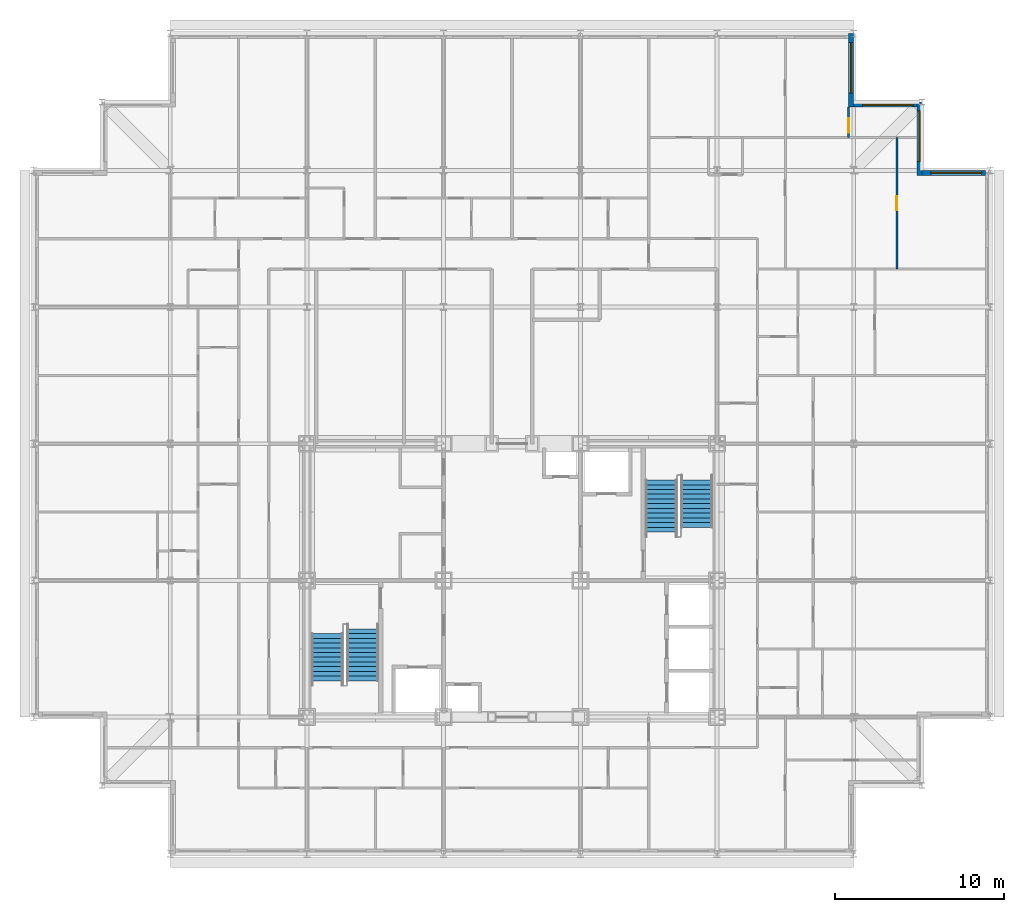
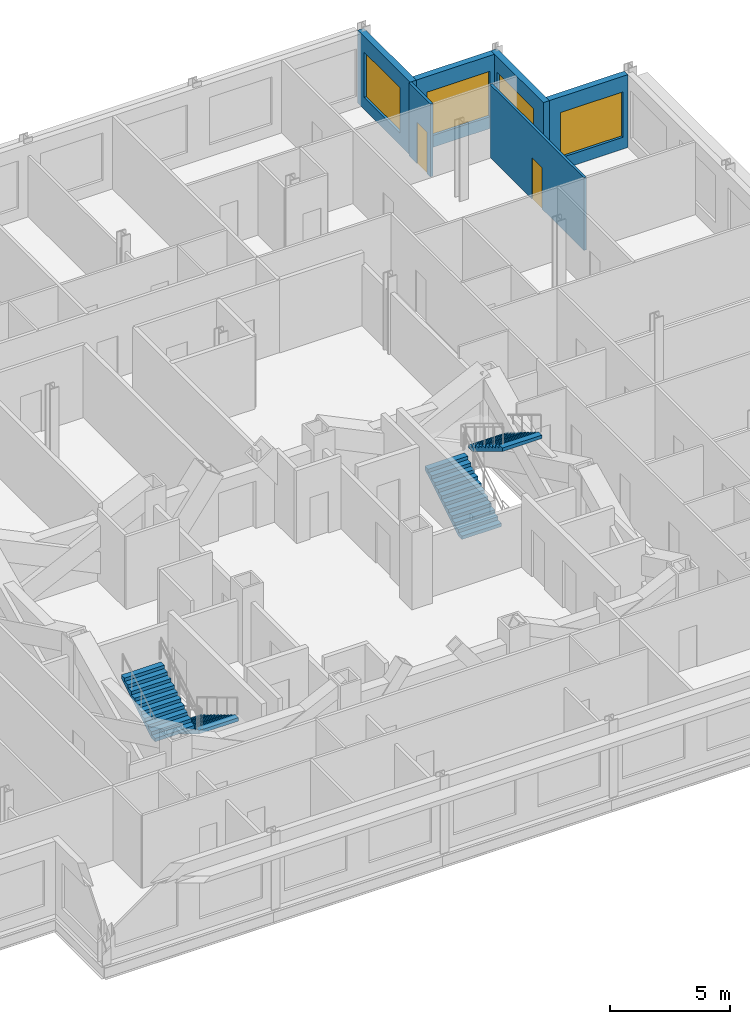
# One storey, part 14 of 15: 6 walls, 4 stair flights, 4 windows, 2 doors, 6 openings, 2 elements without a shape of their own.
"""IFC4 building model written with IfcOpenShell, lengths in metres."""

from ifc_helpers import new_model, si_unit, direction, frame, frame_2d, origin, place, context, subcontext, project, spatial, rectangle, extrude, polygons, source, transform, mapped, material, layer, layer_set, type_object, element, fill, aggregate, save


model = new_model("IFC4")

# Units and contexts
model_context = context("Model", 3, precision=1e-05, world=origin(), true_north=direction((0.0, 1.0)))
body_context = subcontext(model_context, "Body", "Model", "MODEL_VIEW")
ifc_project = project(units=[si_unit("LENGTHUNIT", "METRE"), si_unit("AREAUNIT", "SQUARE_METRE"), si_unit("VOLUMEUNIT", "CUBIC_METRE"), si_unit("PLANEANGLEUNIT", "RADIAN"), si_unit("MASSUNIT", "GRAM", prefix="KILO")], contexts=[model_context])

# Site, building, storey
site_placement = place(None, origin())
site = spatial("IfcSite", under=ifc_project, at=site_placement, CompositionType="ELEMENT")
building_placement = place(site_placement, origin())
building = spatial("IfcBuilding", under=site, at=building_placement, Name="Kopane Lantern Tower", CompositionType="ELEMENT")
storey_placement = place(building_placement, frame((0.0, 0.0, 277.5)))
storey = spatial("IfcBuildingStorey", under=building, at=storey_placement, Name="L71", CompositionType="ELEMENT", Elevation=277.5)

# Wall, opening, door
ifc_material_1 = material(Name="Gypsum board on steel studs", Category="steel")
ifc_layer_1 = layer(ifc_material_1, 0.1201171875)
ifc_layer_set_1 = layer_set([ifc_layer_1], Name="APARTMENT INTERNAL WALL 120")
wall_type_1 = type_object("IfcWallType", Name="APARTMENT INTERNAL WALL 120", PredefinedType="PARTITIONING", material=ifc_layer_set_1)
wall_1_placement = place(storey_placement, frame((48.300048828125, 58.64990234375, 0.0), z_axis=(0.0, 0.0, 1.0), x_axis=(0.0, 1.0, 0.0)))
wall_1 = element("IfcWall", 1, at=wall_1_placement, inside=storey, type_object=wall_type_1, Name="Apartment Internal Wall 120 L71", PredefinedType="PARTITIONING", context=body_context, shape_type="SweptSolid", body=[
    extrude(rectangle(XDim=1.800048828125, YDim=0.1201171875, at=frame_2d((0.89990234375, 0.0))), origin(), (0.0, 0.0, 1.0), 3.68994140625),
])
opening_1_placement = place(wall_1_placement, frame((0.27490234375, 0.0, 0.0)))
opening_1 = element("IfcOpeningElement", 2, at=opening_1_placement, cuts=wall_1, Name="Opening L71-065", PredefinedType="OPENING", context=body_context, shape_type="SweptSolid", body=[
    extrude(rectangle(XDim=0.85009765625, YDim=2.10009765625, at=frame_2d((0.425048828125, 1.050048828125))), frame((0.0, 0.070068359375, 0.0), z_axis=(0.0, -1.0, 0.0), x_axis=(1.0, 0.0, 0.0)), (0.0, 0.0, 1.0), 0.14013671875),
])
ifc_material_2 = material(Name="Timber door set", Category="wood")
door_type = type_object("IfcDoorType", Name="DOOR D4 850x2100", OperationType="SINGLE_SWING_LEFT", PredefinedType="DOOR", material=ifc_material_2)
door_1_placement = place(opening_1_placement, origin())
door_1 = element("IfcDoor", 3, at=door_1_placement, inside=storey, type_object=door_type, Name="Door L71-065", OperationType="SINGLE_SWING_RIGHT", OverallHeight=2.10009765625, OverallWidth=0.85009765625, PredefinedType="DOOR", context=body_context, shape_type="SweptSolid", body=[
    extrude(rectangle(XDim=0.85009765625, YDim=2.10009765625, at=frame_2d((0.425048828125, 1.050048828125))), frame((0.0, 0.02490234375, 0.0), z_axis=(0.0, -1.0, 0.0), x_axis=(1.0, 0.0, 0.0)), (0.0, 0.0, 1.0), 0.050048828125),
])
fill(opening_1, door_1)

wall_2_placement = place(storey_placement, frame((51.14990234375, 50.85009765625, 0.0), z_axis=(0.0, 0.0, 1.0), x_axis=(0.0, 1.0, 0.0)))
wall_2 = element("IfcWall", 4, at=wall_2_placement, inside=storey, type_object=wall_type_1, Name="Apartment Internal Wall 120 L71", PredefinedType="PARTITIONING", context=body_context, shape_type="SweptSolid", body=[
    extrude(rectangle(XDim=7.7998046875, YDim=0.1201171875, at=frame_2d((3.89990234375, 0.0))), origin(), (0.0, 0.0, 1.0), 3.68994140625),
])
opening_2_placement = place(wall_2_placement, frame((3.47509765625, 0.0, 0.0)))
opening_2 = element("IfcOpeningElement", 5, at=opening_2_placement, cuts=wall_2, Name="Opening L71-072", PredefinedType="OPENING", context=body_context, shape_type="SweptSolid", body=[
    extrude(rectangle(XDim=0.85009765625, YDim=2.10009765625, at=frame_2d((0.425048828125, 1.050048828125))), frame((0.0, 0.070068359375, 0.0), z_axis=(0.0, -1.0, 0.0), x_axis=(1.0, 0.0, 0.0)), (0.0, 0.0, 1.0), 0.14013671875),
])
door_2_placement = place(opening_2_placement, origin())
door_2 = element("IfcDoor", 6, at=door_2_placement, inside=storey, type_object=door_type, Name="Door L71-072", OperationType="SINGLE_SWING_RIGHT", OverallHeight=2.10009765625, OverallWidth=0.85009765625, PredefinedType="DOOR", context=body_context, shape_type="SweptSolid", body=[
    extrude(rectangle(XDim=0.85009765625, YDim=2.10009765625, at=frame_2d((0.425048828125, 1.050048828125))), frame((0.0, 0.02490234375, 0.0), z_axis=(0.0, -1.0, 0.0), x_axis=(1.0, 0.0, 0.0)), (0.0, 0.0, 1.0), 0.050048828125),
])
fill(opening_2, door_2)

# Wall, opening, window
ifc_material_3 = material(Name="Terracotta rainscreen on light steel framing", Category="masonry")
ifc_layer_2 = layer(ifc_material_3, 0.300048828125)
ifc_layer_set_2 = layer_set([ifc_layer_2], Name="EXTERNAL WALL EW1 300 TERRACOTTA")
wall_type_2 = type_object("IfcWallType", Name="EXTERNAL WALL EW1 300 TERRACOTTA", PredefinedType="SOLIDWALL", material=ifc_layer_set_2)
wall_3_placement = place(storey_placement, frame((56.39990234375, 56.550048828125, 0.0), z_axis=(0.0, 0.0, 1.0), x_axis=(-1.0, 0.0, 0.0)))
wall_3 = element("IfcWall", 7, at=wall_3_placement, inside=storey, type_object=wall_type_2, Name="External wall N L71", PredefinedType="SOLIDWALL", context=body_context, shape_type="SweptSolid", body=[
    extrude(rectangle(XDim=3.75, YDim=0.300048828125, at=frame_2d((1.875, 0.0))), origin(), (0.0, 0.0, 1.0), 3.68994140625),
])
opening_3_placement = place(wall_3_placement, frame((0.22509765625, 0.0, 0.60009765625)))
opening_3 = element("IfcOpeningElement", 8, at=opening_3_placement, cuts=wall_3, Name="Opening WR300230", PredefinedType="OPENING", context=body_context, shape_type="SweptSolid", body=[
    extrude(rectangle(XDim=3.0, YDim=2.300048828125, at=frame_2d((1.5, 1.14990234375))), frame((0.0, 0.159912109375, 0.0), z_axis=(0.0, -1.0, 0.0), x_axis=(1.0, 0.0, 0.0)), (0.0, 0.0, 1.0), 0.320068359375),
])
ifc_material_4 = material(Name="Aluminium and clear glass", Category="aluminium")
window_type = type_object("IfcWindowType", Name="RIBBON WINDOW WR300230 3000x2300", PartitioningType="SINGLE_PANEL", PredefinedType="WINDOW", material=ifc_material_4)
window_1_placement = place(opening_3_placement, origin())
window_1 = element("IfcWindow", 9, at=window_1_placement, inside=storey, type_object=window_type, Name="Window N L71", OverallHeight=2.300048828125, OverallWidth=3.0, PartitioningType="SINGLE_PANEL", PredefinedType="WINDOW", context=body_context, shape_type="SweptSolid", body=[
    extrude(rectangle(XDim=3.0, YDim=2.300048828125, at=frame_2d((1.5, 1.14990234375))), frame((0.0, 0.030029296875, 0.0), z_axis=(0.0, -1.0, 0.0), x_axis=(1.0, 0.0, 0.0)), (0.0, 0.0, 1.0), 0.06005859375),
])
fill(opening_3, window_1)

wall_4_placement = place(storey_placement, frame((52.5, 56.39990234375, 0.0), z_axis=(0.0, 0.0, 1.0), x_axis=(0.0, 1.0, 0.0)))
wall_4 = element("IfcWall", 10, at=wall_4_placement, inside=storey, type_object=wall_type_2, Name="External wall E L71", PredefinedType="SOLIDWALL", context=body_context, shape_type="SweptSolid", body=[
    extrude(rectangle(XDim=4.35009765625, YDim=0.300048828125, at=frame_2d((2.175048828125, 0.0))), origin(), (0.0, 0.0, 1.0), 3.68994140625),
])
opening_4_placement = place(wall_4_placement, frame((0.824951171875, 0.0, 0.60009765625)))
opening_4 = element("IfcOpeningElement", 11, at=opening_4_placement, cuts=wall_4, Name="Opening WR300230", PredefinedType="OPENING", context=body_context, shape_type="SweptSolid", body=[
    extrude(rectangle(XDim=3.0, YDim=2.300048828125, at=frame_2d((1.5, 1.14990234375))), frame((0.0, 0.159912109375, 0.0), z_axis=(0.0, -1.0, 0.0), x_axis=(1.0, 0.0, 0.0)), (0.0, 0.0, 1.0), 0.320068359375),
])
window_2_placement = place(opening_4_placement, origin())
window_2 = element("IfcWindow", 12, at=window_2_placement, inside=storey, type_object=window_type, Name="Window E L71", OverallHeight=2.300048828125, OverallWidth=3.0, PartitioningType="SINGLE_PANEL", PredefinedType="WINDOW", context=body_context, shape_type="SweptSolid", body=[
    extrude(rectangle(XDim=3.0, YDim=2.300048828125, at=frame_2d((1.5, 1.14990234375))), frame((0.0, 0.030029296875, 0.0), z_axis=(0.0, -1.0, 0.0), x_axis=(1.0, 0.0, 0.0)), (0.0, 0.0, 1.0), 0.06005859375),
])
fill(opening_4, window_2)

wall_5_placement = place(storey_placement, frame((52.35009765625, 60.60009765625, 0.0), z_axis=(0.0, 0.0, 1.0), x_axis=(-1.0, 0.0, 0.0)))
wall_5 = element("IfcWall", 13, at=wall_5_placement, inside=storey, type_object=wall_type_2, Name="External wall N L71", PredefinedType="SOLIDWALL", context=body_context, shape_type="SweptSolid", body=[
    extrude(rectangle(XDim=3.75, YDim=0.300048828125, at=frame_2d((1.875, 0.0))), origin(), (0.0, 0.0, 1.0), 3.68994140625),
])
opening_5_placement = place(wall_5_placement, frame((0.22509765625, 0.0, 0.60009765625)))
opening_5 = element("IfcOpeningElement", 14, at=opening_5_placement, cuts=wall_5, Name="Opening WR300230", PredefinedType="OPENING", context=body_context, shape_type="SweptSolid", body=[
    extrude(rectangle(XDim=3.0, YDim=2.300048828125, at=frame_2d((1.5, 1.14990234375))), frame((0.0, 0.159912109375, 0.0), z_axis=(0.0, -1.0, 0.0), x_axis=(1.0, 0.0, 0.0)), (0.0, 0.0, 1.0), 0.320068359375),
])
window_3_placement = place(opening_5_placement, origin())
window_3 = element("IfcWindow", 15, at=window_3_placement, inside=storey, type_object=window_type, Name="Window N L71", OverallHeight=2.300048828125, OverallWidth=3.0, PartitioningType="SINGLE_PANEL", PredefinedType="WINDOW", context=body_context, shape_type="SweptSolid", body=[
    extrude(rectangle(XDim=3.0, YDim=2.300048828125, at=frame_2d((1.5, 1.14990234375))), frame((0.0, 0.030029296875, 0.0), z_axis=(0.0, -1.0, 0.0), x_axis=(1.0, 0.0, 0.0)), (0.0, 0.0, 1.0), 0.06005859375),
])
fill(opening_5, window_3)

wall_6_placement = place(storey_placement, frame((48.449951171875, 60.449951171875, 0.0), z_axis=(0.0, 0.0, 1.0), x_axis=(0.0, 1.0, 0.0)))
wall_6 = element("IfcWall", 16, at=wall_6_placement, inside=storey, type_object=wall_type_2, Name="External wall E L71", PredefinedType="SOLIDWALL", context=body_context, shape_type="SweptSolid", body=[
    extrude(rectangle(XDim=4.35009765625, YDim=0.300048828125, at=frame_2d((2.175048828125, 0.0))), origin(), (0.0, 0.0, 1.0), 3.68994140625),
])
opening_6_placement = place(wall_6_placement, frame((0.824951171875, 0.0, 0.60009765625)))
opening_6 = element("IfcOpeningElement", 17, at=opening_6_placement, cuts=wall_6, Name="Opening WR300230", PredefinedType="OPENING", context=body_context, shape_type="SweptSolid", body=[
    extrude(rectangle(XDim=3.0, YDim=2.300048828125, at=frame_2d((1.5, 1.14990234375))), frame((0.0, 0.159912109375, 0.0), z_axis=(0.0, -1.0, 0.0), x_axis=(1.0, 0.0, 0.0)), (0.0, 0.0, 1.0), 0.320068359375),
])
window_4_placement = place(opening_6_placement, origin())
window_4 = element("IfcWindow", 18, at=window_4_placement, inside=storey, type_object=window_type, Name="Window E L71", OverallHeight=2.300048828125, OverallWidth=3.0, PartitioningType="SINGLE_PANEL", PredefinedType="WINDOW", context=body_context, shape_type="SweptSolid", body=[
    extrude(rectangle(XDim=3.0, YDim=2.300048828125, at=frame_2d((1.5, 1.14990234375))), frame((0.0, 0.030029296875, 0.0), z_axis=(0.0, -1.0, 0.0), x_axis=(1.0, 0.0, 0.0)), (0.0, 0.0, 1.0), 0.06005859375),
])
fill(opening_6, window_4)

# Stair, stair flight
ifc_material_5 = material(Name="Steel S355JR", Category="steel")
stair_type = type_object("IfcStairType", Name="EXIT STAIR 1900 HALF TURN", PredefinedType="HALF_TURN_STAIR", material=ifc_material_5)
stair_1_placement = place(storey_placement, origin())
stair_1 = element("IfcStair", 19, at=stair_1_placement, inside=storey, type_object=stair_type, Name="Exit stair ST1 L71", PredefinedType="HALF_TURN_STAIR")
ifc_material_6 = material(Name="Steel S355JR", Category="steel")
stair_flight_type = type_object("IfcStairFlightType", Name="STAIR FLIGHT 1900 STEEL", PredefinedType="STRAIGHT", material=ifc_material_6)
shared_shape_1 = source(origin(), body_context, "Body", "Tessellation", [
    polygons([(3.080078125, 0.949951172, 1.865234375), (2.800048828, 0.949951172, 1.865234375), (2.800048828, -0.949951172, 1.865234375), (3.080078125, -0.949951172, 1.865234375), (0.289306641, 0.949951172, 0.0), (3.080078125, 0.949951172, 1.689941406), (3.080078125, -0.949951172, 1.689941406), (0.289306641, -0.949951172, 0.0), (0.0, 0.949951172, 0.0), (0.0, -0.949951172, 0.0), (0.280029297, 0.949951172, 0.169677734), (0.0, 0.949951172, 0.169677734), (0.0, -0.949951172, 0.169677734), (0.280029297, -0.949951172, 0.169677734), (0.280029297, 0.949951172, 0.339111328), (0.280029297, -0.949951172, 0.339111328), (0.560058594, 0.949951172, 0.339111328), (0.560058594, -0.949951172, 0.339111328), (0.560058594, 0.949951172, 0.508789062), (0.560058594, -0.949951172, 0.508789062), (0.840087891, 0.949951172, 0.508789062), (0.840087891, -0.949951172, 0.508789062), (0.840087891, 0.949951172, 0.678222656), (0.840087891, -0.949951172, 0.678222656), (1.120117188, 0.949951172, 0.678222656), (1.120117188, -0.949951172, 0.678222656), (1.120117188, 0.949951172, 0.847900391), (1.120117188, -0.949951172, 0.847900391), (1.399902344, 0.949951172, 0.847900391), (1.399902344, -0.949951172, 0.847900391), (1.399902344, 0.949951172, 1.017333984), (1.399902344, -0.949951172, 1.017333984), (1.679931641, 0.949951172, 1.017333984), (1.679931641, -0.949951172, 1.017333984), (1.679931641, 0.949951172, 1.187011719), (1.679931641, -0.949951172, 1.187011719), (1.959960938, 0.949951172, 1.187011719), (1.959960938, -0.949951172, 1.187011719), (1.959960938, 0.949951172, 1.356445312), (1.959960938, -0.949951172, 1.356445312), (2.239990234, 0.949951172, 1.356445312), (2.239990234, -0.949951172, 1.356445312), (2.239990234, 0.949951172, 1.526123047), (2.239990234, -0.949951172, 1.526123047), (2.520019531, 0.949951172, 1.526123047), (2.520019531, -0.949951172, 1.526123047), (2.520019531, 0.949951172, 1.695556641), (2.520019531, -0.949951172, 1.695556641), (2.800048828, 0.949951172, 1.695556641), (2.800048828, -0.949951172, 1.695556641), (0.0, 0.0, 0.004585885), (0.0, 0.0, 0.009171769), (0.0, 0.0, 0.013757654), (0.0, 0.0, 0.018343539), (0.0, 0.0, 0.022929424), (0.0, 0.0, 0.027515308), (0.0, 0.0, 0.032101193), (0.0, 0.0, 0.036687078), (0.0, 0.0, 0.041272962), (0.0, 0.0, 0.045858847), (0.0, 0.0, 0.050444732), (0.0, 0.0, 0.055030617), (0.0, 0.0, 0.059616501), (0.0, 0.0, 0.064202386), (0.0, 0.0, 0.068788271), (0.0, 0.0, 0.073374155), (0.0, 0.0, 0.07796004), (0.0, 0.0, 0.082545925), (0.0, 0.0, 0.08713181), (0.0, 0.0, 0.091717694), (0.0, 0.0, 0.096303579), (0.0, 0.0, 0.100889464), (0.0, 0.0, 0.105475348), (0.0, 0.0, 0.110061233), (0.0, 0.0, 0.114647118), (0.0, 0.0, 0.119233003), (0.0, 0.0, 0.123818887), (0.0, 0.0, 0.128404772), (0.0, 0.0, 0.132990657), (0.0, 0.0, 0.137576541), (0.0, 0.0, 0.142162426), (0.0, 0.0, 0.146748311), (0.0, 0.0, 0.151334196), (0.0, 0.0, 0.15592008), (0.0, 0.0, 0.160505965), (0.0, 0.0, 0.16509185), (3.080078125, 0.0, 1.694679054), (3.080078125, 0.0, 1.699416702), (3.080078125, 0.0, 1.70415435), (3.080078125, 0.0, 1.708891997), (3.080078125, 0.0, 1.713629645), (3.080078125, 0.0, 1.718367293), (3.080078125, 0.0, 1.723104941), (3.080078125, 0.0, 1.727842589), (3.080078125, 0.0, 1.732580236), (3.080078125, 0.0, 1.737317884), (3.080078125, 0.0, 1.742055532), (3.080078125, 0.0, 1.74679318), (3.080078125, 0.0, 1.751530828), (3.080078125, 0.0, 1.756268476), (3.080078125, 0.0, 1.761006123), (3.080078125, 0.0, 1.765743771), (3.080078125, 0.0, 1.770481419), (3.080078125, 0.0, 1.775219067), (3.080078125, 0.0, 1.779956715), (3.080078125, 0.0, 1.784694362), (3.080078125, 0.0, 1.78943201), (3.080078125, 0.0, 1.794169658), (3.080078125, 0.0, 1.798907306), (3.080078125, 0.0, 1.803644954), (3.080078125, 0.0, 1.808382601), (3.080078125, 0.0, 1.813120249), (3.080078125, 0.0, 1.817857897), (3.080078125, 0.0, 1.822595545), (3.080078125, 0.0, 1.827333193), (3.080078125, 0.0, 1.83207084), (3.080078125, 0.0, 1.836808488), (3.080078125, 0.0, 1.841546136), (3.080078125, 0.0, 1.846283784), (3.080078125, 0.0, 1.851021432), (3.080078125, 0.0, 1.855759079), (3.080078125, 0.0, 1.860496727)], [[[1, 2, 3]], [[1, 3, 4]], [[5, 6, 7]], [[5, 7, 8]], [[9, 5, 8]], [[9, 8, 10]], [[11, 12, 13]], [[11, 13, 14]], [[15, 11, 14]], [[15, 14, 16]], [[17, 15, 16]], [[17, 16, 18]], [[19, 17, 18]], [[19, 18, 20]], [[21, 19, 20]], [[21, 20, 22]], [[23, 21, 22]], [[23, 22, 24]], [[25, 23, 24]], [[25, 24, 26]], [[27, 25, 26]], [[27, 26, 28]], [[29, 27, 28]], [[29, 28, 30]], [[31, 29, 30]], [[31, 30, 32]], [[33, 31, 32]], [[33, 32, 34]], [[35, 33, 34]], [[35, 34, 36]], [[37, 35, 36]], [[37, 36, 38]], [[39, 37, 38]], [[39, 38, 40]], [[41, 39, 40]], [[41, 40, 42]], [[43, 41, 42]], [[43, 42, 44]], [[45, 43, 44]], [[45, 44, 46]], [[47, 45, 46]], [[47, 46, 48]], [[49, 47, 48]], [[49, 48, 50]], [[2, 49, 50]], [[2, 50, 3]], [[49, 1, 6]], [[45, 49, 6]], [[2, 1, 49]], [[41, 45, 6]], [[47, 49, 45]], [[37, 41, 6]], [[43, 45, 41]], [[39, 41, 37]], [[35, 37, 33]], [[31, 33, 29]], [[5, 21, 25]], [[27, 29, 25]], [[17, 21, 5]], [[23, 25, 21]], [[11, 17, 5]], [[19, 21, 17]], [[9, 11, 5]], [[15, 17, 11]], [[12, 11, 9]], [[6, 5, 25]], [[6, 25, 29]], [[6, 29, 33]], [[6, 33, 37]], [[7, 4, 50]], [[7, 50, 46]], [[50, 4, 3]], [[7, 46, 42]], [[46, 50, 48]], [[7, 42, 38]], [[42, 46, 44]], [[38, 42, 40]], [[34, 38, 36]], [[30, 34, 32]], [[26, 22, 8]], [[26, 30, 28]], [[8, 22, 18]], [[22, 26, 24]], [[8, 18, 14]], [[18, 22, 20]], [[8, 14, 10]], [[14, 18, 16]], [[10, 14, 13]], [[26, 8, 7]], [[30, 26, 7]], [[34, 30, 7]], [[38, 34, 7]], [[10, 51, 9]], [[10, 52, 51]], [[9, 51, 52]], [[10, 53, 52]], [[9, 52, 53]], [[10, 54, 53]], [[9, 53, 54]], [[10, 55, 54]], [[9, 54, 55]], [[10, 56, 55]], [[9, 55, 56]], [[10, 57, 56]], [[9, 56, 57]], [[10, 58, 57]], [[9, 57, 58]], [[10, 59, 58]], [[9, 58, 59]], [[10, 60, 59]], [[9, 59, 60]], [[10, 61, 60]], [[9, 60, 61]], [[10, 62, 61]], [[9, 61, 62]], [[10, 63, 62]], [[9, 62, 63]], [[10, 64, 63]], [[9, 63, 64]], [[10, 65, 64]], [[9, 64, 65]], [[10, 66, 65]], [[9, 65, 66]], [[10, 67, 66]], [[9, 66, 67]], [[10, 68, 67]], [[9, 67, 68]], [[10, 69, 68]], [[9, 68, 69]], [[10, 70, 69]], [[9, 69, 70]], [[10, 71, 70]], [[9, 70, 71]], [[10, 72, 71]], [[9, 71, 72]], [[10, 73, 72]], [[9, 72, 73]], [[10, 74, 73]], [[9, 73, 74]], [[10, 75, 74]], [[9, 74, 75]], [[10, 76, 75]], [[9, 75, 76]], [[10, 77, 76]], [[9, 76, 77]], [[10, 78, 77]], [[9, 77, 78]], [[10, 79, 78]], [[9, 78, 79]], [[10, 80, 79]], [[9, 79, 80]], [[10, 81, 80]], [[9, 80, 81]], [[10, 82, 81]], [[9, 81, 82]], [[10, 83, 82]], [[9, 82, 83]], [[10, 84, 83]], [[9, 83, 84]], [[10, 85, 84]], [[9, 84, 85]], [[10, 86, 85]], [[9, 85, 86]], [[10, 13, 86]], [[86, 13, 12]], [[9, 86, 12]], [[7, 6, 87]], [[7, 87, 88]], [[6, 88, 87]], [[7, 88, 89]], [[6, 89, 88]], [[7, 89, 90]], [[6, 90, 89]], [[7, 90, 91]], [[6, 91, 90]], [[7, 91, 92]], [[6, 92, 91]], [[7, 92, 93]], [[6, 93, 92]], [[7, 93, 94]], [[6, 94, 93]], [[7, 94, 95]], [[6, 95, 94]], [[7, 95, 96]], [[6, 96, 95]], [[7, 96, 97]], [[6, 97, 96]], [[7, 97, 98]], [[6, 98, 97]], [[7, 98, 99]], [[6, 99, 98]], [[7, 99, 100]], [[6, 100, 99]], [[7, 100, 101]], [[6, 101, 100]], [[7, 101, 102]], [[6, 102, 101]], [[7, 102, 103]], [[6, 103, 102]], [[7, 103, 104]], [[6, 104, 103]], [[7, 104, 105]], [[6, 105, 104]], [[7, 105, 106]], [[6, 106, 105]], [[7, 106, 107]], [[6, 107, 106]], [[7, 107, 108]], [[6, 108, 107]], [[7, 108, 109]], [[6, 109, 108]], [[7, 109, 110]], [[6, 110, 109]], [[7, 110, 111]], [[6, 111, 110]], [[7, 111, 112]], [[6, 112, 111]], [[7, 112, 113]], [[6, 113, 112]], [[7, 113, 114]], [[6, 114, 113]], [[7, 114, 115]], [[6, 115, 114]], [[7, 115, 116]], [[6, 116, 115]], [[7, 116, 117]], [[6, 117, 116]], [[7, 117, 118]], [[6, 118, 117]], [[7, 118, 119]], [[6, 119, 118]], [[7, 119, 120]], [[6, 120, 119]], [[7, 120, 121]], [[6, 121, 120]], [[7, 121, 122]], [[6, 122, 121]], [[7, 122, 4]], [[122, 1, 4]], [[6, 1, 122]]], closed=True),
])
stair_flight_1_placement = place(storey_placement, frame((19.5, 29.530029296875, 0.0), z_axis=(0.0, 0.0, 1.0), x_axis=(0.0, -1.0, 0.0)))
stair_flight_1 = element("IfcStairFlight", 20, at=stair_flight_1_placement, type_object=stair_flight_type, Name="ST1 flight 1", NumberOfRisers=12, NumberOfTreads=11, PredefinedType="STRAIGHT", RiserHeight=0.169565217, TreadLength=0.28, context=body_context, shape_type="MappedRepresentation", body=[
    mapped(shared_shape_1, transform((0.0, 0.0, 0.0))),
])

stair_2_placement = place(storey_placement, origin())
stair_2 = element("IfcStair", 21, at=stair_2_placement, inside=storey, type_object=stair_type, Name="Exit stair ST2 L71", PredefinedType="HALF_TURN_STAIR")
stair_flight_2_placement = place(storey_placement, frame((37.199951171875, 35.27001953125, 0.0), z_axis=(0.0, 0.0, 1.0), x_axis=(0.0, 1.0, 0.0)))
stair_flight_2 = element("IfcStairFlight", 22, at=stair_flight_2_placement, type_object=stair_flight_type, Name="ST2 flight 1", NumberOfRisers=12, NumberOfTreads=11, PredefinedType="STRAIGHT", RiserHeight=0.169565217, TreadLength=0.28, context=body_context, shape_type="MappedRepresentation", body=[
    mapped(shared_shape_1, transform((0.0, 0.0, 0.0))),
])

# Stair flight
shared_shape_2 = source(origin(), body_context, "Body", "Tessellation", [
    polygons([(2.800048828, 0.949951172, 1.695556641), (2.520019531, 0.949951172, 1.695556641), (2.520019531, -0.949951172, 1.695556641), (2.800048828, -0.949951172, 1.695556641), (0.289306641, 0.949951172, 0.0), (2.800048828, 0.949951172, 1.520507812), (2.800048828, -0.949951172, 1.520507812), (0.289306641, -0.949951172, 0.0), (0.0, 0.949951172, 0.0), (0.0, -0.949951172, 0.0), (0.280029297, 0.949951172, 0.169677734), (0.0, 0.949951172, 0.169677734), (0.0, -0.949951172, 0.169677734), (0.280029297, -0.949951172, 0.169677734), (0.280029297, 0.949951172, 0.339111328), (0.280029297, -0.949951172, 0.339111328), (0.560058594, 0.949951172, 0.339111328), (0.560058594, -0.949951172, 0.339111328), (0.560058594, 0.949951172, 0.508789062), (0.560058594, -0.949951172, 0.508789062), (0.840087891, 0.949951172, 0.508789062), (0.840087891, -0.949951172, 0.508789062), (0.840087891, 0.949951172, 0.678222656), (0.840087891, -0.949951172, 0.678222656), (1.120117188, 0.949951172, 0.678222656), (1.120117188, -0.949951172, 0.678222656), (1.120117188, 0.949951172, 0.847900391), (1.120117188, -0.949951172, 0.847900391), (1.399902344, 0.949951172, 0.847900391), (1.399902344, -0.949951172, 0.847900391), (1.399902344, 0.949951172, 1.017333984), (1.399902344, -0.949951172, 1.017333984), (1.679931641, 0.949951172, 1.017333984), (1.679931641, -0.949951172, 1.017333984), (1.679931641, 0.949951172, 1.187011719), (1.679931641, -0.949951172, 1.187011719), (1.959960938, 0.949951172, 1.187011719), (1.959960938, -0.949951172, 1.187011719), (1.959960938, 0.949951172, 1.356445312), (1.959960938, -0.949951172, 1.356445312), (2.239990234, 0.949951172, 1.356445312), (2.239990234, -0.949951172, 1.356445312), (2.239990234, 0.949951172, 1.526123047), (2.239990234, -0.949951172, 1.526123047), (2.520019531, 0.949951172, 1.526123047), (2.520019531, -0.949951172, 1.526123047), (0.0, 0.0, 0.004585885), (0.0, 0.0, 0.009171769), (0.0, 0.0, 0.013757654), (0.0, 0.0, 0.018343539), (0.0, 0.0, 0.022929424), (0.0, 0.0, 0.027515308), (0.0, 0.0, 0.032101193), (0.0, 0.0, 0.036687078), (0.0, 0.0, 0.041272962), (0.0, 0.0, 0.045858847), (0.0, 0.0, 0.050444732), (0.0, 0.0, 0.055030617), (0.0, 0.0, 0.059616501), (0.0, 0.0, 0.064202386), (0.0, 0.0, 0.068788271), (0.0, 0.0, 0.073374155), (0.0, 0.0, 0.07796004), (0.0, 0.0, 0.082545925), (0.0, 0.0, 0.08713181), (0.0, 0.0, 0.091717694), (0.0, 0.0, 0.096303579), (0.0, 0.0, 0.100889464), (0.0, 0.0, 0.105475348), (0.0, 0.0, 0.110061233), (0.0, 0.0, 0.114647118), (0.0, 0.0, 0.119233003), (0.0, 0.0, 0.123818887), (0.0, 0.0, 0.128404772), (0.0, 0.0, 0.132990657), (0.0, 0.0, 0.137576541), (0.0, 0.0, 0.142162426), (0.0, 0.0, 0.146748311), (0.0, 0.0, 0.151334196), (0.0, 0.0, 0.15592008), (0.0, 0.0, 0.160505965), (0.0, 0.0, 0.16509185), (2.800048828, 0.0, 1.525238862), (2.800048828, 0.0, 1.529969911), (2.800048828, 0.0, 1.534700961), (2.800048828, 0.0, 1.53943201), (2.800048828, 0.0, 1.54416306), (2.800048828, 0.0, 1.548894109), (2.800048828, 0.0, 1.553625158), (2.800048828, 0.0, 1.558356208), (2.800048828, 0.0, 1.563087257), (2.800048828, 0.0, 1.567818307), (2.800048828, 0.0, 1.572549356), (2.800048828, 0.0, 1.577280405), (2.800048828, 0.0, 1.582011455), (2.800048828, 0.0, 1.586742504), (2.800048828, 0.0, 1.591473554), (2.800048828, 0.0, 1.596204603), (2.800048828, 0.0, 1.600935652), (2.800048828, 0.0, 1.605666702), (2.800048828, 0.0, 1.610397751), (2.800048828, 0.0, 1.615128801), (2.800048828, 0.0, 1.61985985), (2.800048828, 0.0, 1.624590899), (2.800048828, 0.0, 1.629321949), (2.800048828, 0.0, 1.634052998), (2.800048828, 0.0, 1.638784048), (2.800048828, 0.0, 1.643515097), (2.800048828, 0.0, 1.648246147), (2.800048828, 0.0, 1.652977196), (2.800048828, 0.0, 1.657708245), (2.800048828, 0.0, 1.662439295), (2.800048828, 0.0, 1.667170344), (2.800048828, 0.0, 1.671901394), (2.800048828, 0.0, 1.676632443), (2.800048828, 0.0, 1.681363492), (2.800048828, 0.0, 1.686094542), (2.800048828, 0.0, 1.690825591)], [[[1, 2, 3]], [[1, 3, 4]], [[5, 6, 7]], [[5, 7, 8]], [[9, 5, 8]], [[9, 8, 10]], [[11, 12, 13]], [[11, 13, 14]], [[15, 11, 14]], [[15, 14, 16]], [[17, 15, 16]], [[17, 16, 18]], [[19, 17, 18]], [[19, 18, 20]], [[21, 19, 20]], [[21, 20, 22]], [[23, 21, 22]], [[23, 22, 24]], [[25, 23, 24]], [[25, 24, 26]], [[27, 25, 26]], [[27, 26, 28]], [[29, 27, 28]], [[29, 28, 30]], [[31, 29, 30]], [[31, 30, 32]], [[33, 31, 32]], [[33, 32, 34]], [[35, 33, 34]], [[35, 34, 36]], [[37, 35, 36]], [[37, 36, 38]], [[39, 37, 38]], [[39, 38, 40]], [[41, 39, 40]], [[41, 40, 42]], [[43, 41, 42]], [[43, 42, 44]], [[45, 43, 44]], [[45, 44, 46]], [[2, 45, 46]], [[2, 46, 3]], [[45, 1, 6]], [[41, 45, 6]], [[2, 1, 45]], [[37, 41, 6]], [[43, 45, 41]], [[39, 41, 37]], [[35, 37, 33]], [[31, 33, 29]], [[5, 21, 25]], [[27, 29, 25]], [[17, 21, 5]], [[23, 25, 21]], [[11, 17, 5]], [[19, 21, 17]], [[9, 11, 5]], [[15, 17, 11]], [[12, 11, 9]], [[6, 5, 25]], [[6, 25, 29]], [[6, 29, 33]], [[6, 33, 37]], [[7, 4, 46]], [[7, 46, 42]], [[46, 4, 3]], [[7, 42, 38]], [[42, 46, 44]], [[38, 42, 40]], [[34, 38, 36]], [[30, 34, 32]], [[26, 22, 8]], [[26, 30, 28]], [[8, 22, 18]], [[22, 26, 24]], [[8, 18, 14]], [[18, 22, 20]], [[8, 14, 10]], [[14, 18, 16]], [[10, 14, 13]], [[26, 8, 7]], [[30, 26, 7]], [[34, 30, 7]], [[38, 34, 7]], [[10, 47, 9]], [[10, 48, 47]], [[9, 47, 48]], [[10, 49, 48]], [[9, 48, 49]], [[10, 50, 49]], [[9, 49, 50]], [[10, 51, 50]], [[9, 50, 51]], [[10, 52, 51]], [[9, 51, 52]], [[10, 53, 52]], [[9, 52, 53]], [[10, 54, 53]], [[9, 53, 54]], [[10, 55, 54]], [[9, 54, 55]], [[10, 56, 55]], [[9, 55, 56]], [[10, 57, 56]], [[9, 56, 57]], [[10, 58, 57]], [[9, 57, 58]], [[10, 59, 58]], [[9, 58, 59]], [[10, 60, 59]], [[9, 59, 60]], [[10, 61, 60]], [[9, 60, 61]], [[10, 62, 61]], [[9, 61, 62]], [[10, 63, 62]], [[9, 62, 63]], [[10, 64, 63]], [[9, 63, 64]], [[10, 65, 64]], [[9, 64, 65]], [[10, 66, 65]], [[9, 65, 66]], [[10, 67, 66]], [[9, 66, 67]], [[10, 68, 67]], [[9, 67, 68]], [[10, 69, 68]], [[9, 68, 69]], [[10, 70, 69]], [[9, 69, 70]], [[10, 71, 70]], [[9, 70, 71]], [[10, 72, 71]], [[9, 71, 72]], [[10, 73, 72]], [[9, 72, 73]], [[10, 74, 73]], [[9, 73, 74]], [[10, 75, 74]], [[9, 74, 75]], [[10, 76, 75]], [[9, 75, 76]], [[10, 77, 76]], [[9, 76, 77]], [[10, 78, 77]], [[9, 77, 78]], [[10, 79, 78]], [[9, 78, 79]], [[10, 80, 79]], [[9, 79, 80]], [[10, 81, 80]], [[9, 80, 81]], [[10, 82, 81]], [[9, 81, 82]], [[10, 13, 82]], [[82, 13, 12]], [[9, 82, 12]], [[7, 6, 83]], [[7, 83, 84]], [[6, 84, 83]], [[7, 84, 85]], [[6, 85, 84]], [[7, 85, 86]], [[6, 86, 85]], [[7, 86, 87]], [[6, 87, 86]], [[7, 87, 88]], [[6, 88, 87]], [[7, 88, 89]], [[6, 89, 88]], [[7, 89, 90]], [[6, 90, 89]], [[7, 90, 91]], [[6, 91, 90]], [[7, 91, 92]], [[6, 92, 91]], [[7, 92, 93]], [[6, 93, 92]], [[7, 93, 94]], [[6, 94, 93]], [[7, 94, 95]], [[6, 95, 94]], [[7, 95, 96]], [[6, 96, 95]], [[7, 96, 97]], [[6, 97, 96]], [[7, 97, 98]], [[6, 98, 97]], [[7, 98, 99]], [[6, 99, 98]], [[7, 99, 100]], [[6, 100, 99]], [[7, 100, 101]], [[6, 101, 100]], [[7, 101, 102]], [[6, 102, 101]], [[7, 102, 103]], [[6, 103, 102]], [[7, 103, 104]], [[6, 104, 103]], [[7, 104, 105]], [[6, 105, 104]], [[7, 105, 106]], [[6, 106, 105]], [[7, 106, 107]], [[6, 107, 106]], [[7, 107, 108]], [[6, 108, 107]], [[7, 108, 109]], [[6, 109, 108]], [[7, 109, 110]], [[6, 110, 109]], [[7, 110, 111]], [[6, 111, 110]], [[7, 111, 112]], [[6, 112, 111]], [[7, 112, 113]], [[6, 113, 112]], [[7, 113, 114]], [[6, 114, 113]], [[7, 114, 115]], [[6, 115, 114]], [[7, 115, 116]], [[6, 116, 115]], [[7, 116, 117]], [[6, 117, 116]], [[7, 117, 118]], [[6, 118, 117]], [[7, 118, 4]], [[118, 1, 4]], [[6, 1, 118]]], closed=True),
])
stair_flight_3_placement = place(storey_placement, frame((17.39990234375, 26.449951171875, 2.034912109375), z_axis=(0.0, 0.0, 1.0), x_axis=(0.0, 1.0, 0.0)))
stair_flight_3 = element("IfcStairFlight", 23, at=stair_flight_3_placement, type_object=stair_flight_type, Name="ST1 flight 2", NumberOfRisers=11, NumberOfTreads=10, PredefinedType="STRAIGHT", RiserHeight=0.169565217, TreadLength=0.28, context=body_context, shape_type="MappedRepresentation", body=[
    mapped(shared_shape_2, transform((0.0, 0.0, 0.0))),
])

aggregate(stair_1, [stair_flight_1, stair_flight_3])

stair_flight_4_placement = place(storey_placement, frame((39.300048828125, 38.35009765625, 2.034912109375), z_axis=(0.0, 0.0, 1.0), x_axis=(0.0, -1.0, 0.0)))
stair_flight_4 = element("IfcStairFlight", 24, at=stair_flight_4_placement, type_object=stair_flight_type, Name="ST2 flight 2", NumberOfRisers=11, NumberOfTreads=10, PredefinedType="STRAIGHT", RiserHeight=0.169565217, TreadLength=0.28, context=body_context, shape_type="MappedRepresentation", body=[
    mapped(shared_shape_2, transform((0.0, 0.0, 0.0))),
])

aggregate(stair_2, [stair_flight_2, stair_flight_4])

save(model, "model.ifc")
